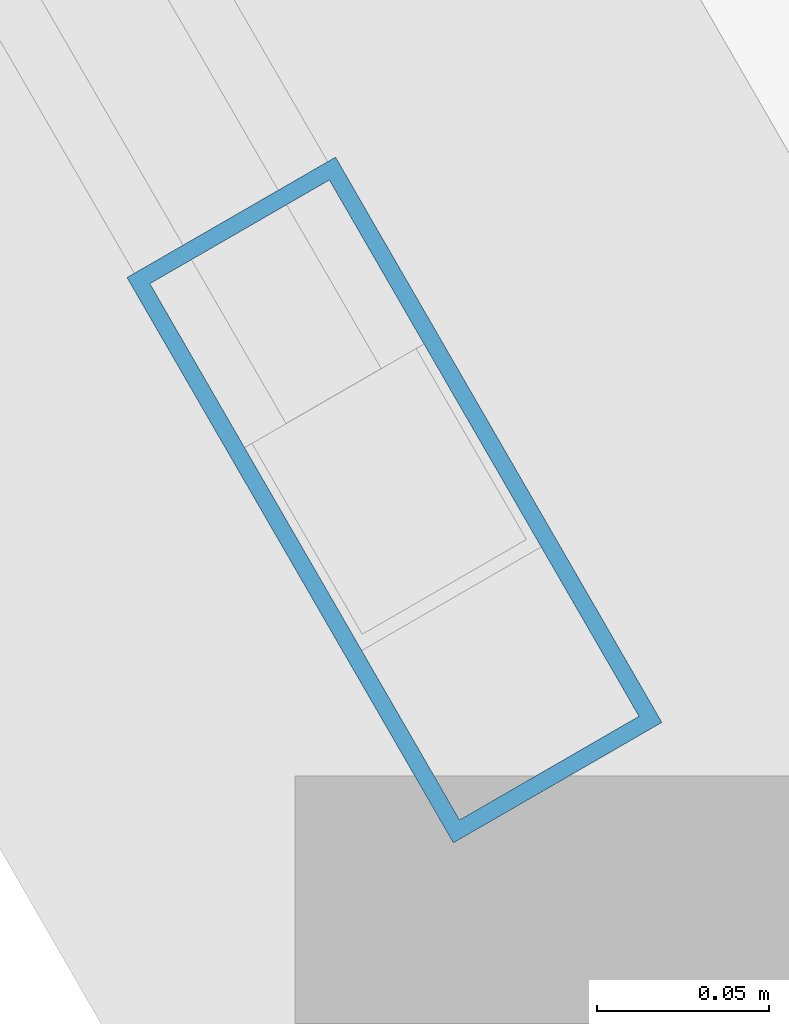
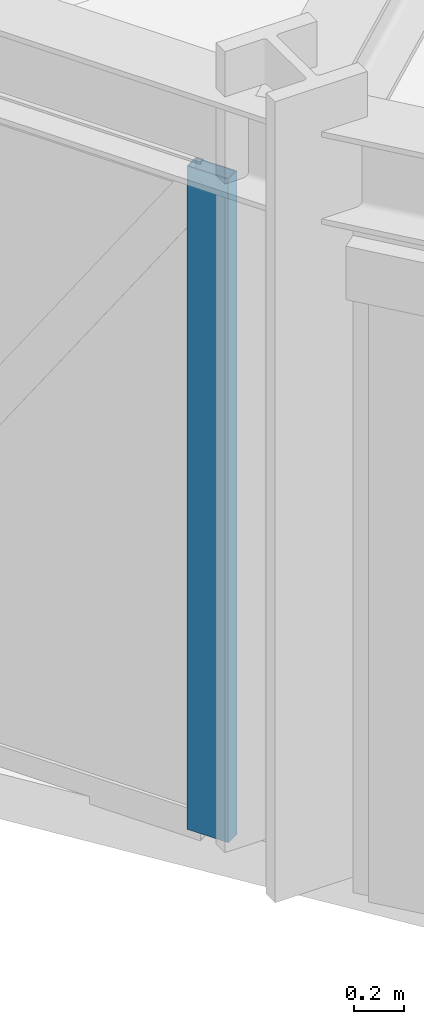
# One storey, part 2 of 21: 1 member, 1 element without a shape of its own.
"""IFC4 building model written with IfcOpenShell, lengths in metres."""

from ifc_helpers import new_model, si_unit, derived_unit, direction, frame, origin, origin_2d, place, context, subcontext, project, spatial, hollow_rectangle, extrude, source, transform, mapped, material, layer, layer_set, material_profile, profile_set, type_object, element, aggregate, save


model = new_model("IFC4")

# Units and contexts
model_context = context("Model", 3, precision=1e-05, world=origin(), true_north=direction((0.0, 1.0)))
body_context = subcontext(model_context, "Body", "Model", "MODEL_VIEW")
ifc_project = project(units=[si_unit("LENGTHUNIT", "METRE"), si_unit("AREAUNIT", "SQUARE_METRE"), si_unit("VOLUMEUNIT", "CUBIC_METRE"), si_unit("PLANEANGLEUNIT", "RADIAN"), si_unit("MASSUNIT", "GRAM", prefix="KILO"), derived_unit("THERMALTRANSMITTANCEUNIT", [(si_unit("POWERUNIT", "WATT"), 1), (si_unit("LENGTHUNIT", "METRE"), -2), (si_unit("THERMODYNAMICTEMPERATUREUNIT", "KELVIN"), -1)])], contexts=[model_context])

# Site, building, storey
site_placement = place(None, origin())
site = spatial("IfcSite", under=ifc_project, at=site_placement, CompositionType="ELEMENT")
building_placement = place(site_placement, origin())
building = spatial("IfcBuilding", under=site, at=building_placement, Name="Korsvarv Bourse and Concert Hall", CompositionType="ELEMENT")
storey_placement = place(building_placement, frame((0.0, 0.0, 27.89990234375)))
storey = spatial("IfcBuildingStorey", under=building, at=storey_placement, Name="L06", CompositionType="ELEMENT", Elevation=27.89990234375)

# Curtain wall, member
ifc_material_1 = material(Name="Anodised aluminium and triple low-E glazing", Category="glass")
ifc_layer = layer(ifc_material_1, 0.219970703125)
ifc_layer_set = layer_set([ifc_layer], Name="Anodised aluminium and triple low-E glazing")
curtain_wall_type = type_object("IfcCurtainWallType", Name="CW-SYS-1", PredefinedType="NOTDEFINED", material=ifc_layer_set)
curtain_wall_placement = place(storey_placement, origin())
curtain_wall = element("IfcCurtainWall", 1, at=curtain_wall_placement, inside=storey, type_object=curtain_wall_type, Name="L06 CW1 curtain wall CW-L06-F07", PredefinedType="NOTDEFINED")
ifc_material_2 = material(Name="Extruded aluminium EN AW-6063 T66", Category="aluminium")
ifc_material_profile = material_profile(ifc_material_2, hollow_rectangle(XDim=0.070068359375, YDim=0.18994140625, WallThickness=0.0048828125, at=origin_2d()), Name="ALU-M 70x190")
ifc_profile_set = profile_set([ifc_material_profile], Name="Extruded aluminium EN AW-6063 T66")
member_type = type_object("IfcMemberType", Name="CWM-190", PredefinedType="MULLION", material=ifc_profile_set)
shared_shape = source(origin(), body_context, "Body", "SweptSolid", [
    extrude(hollow_rectangle(XDim=0.070068359375, YDim=0.18994140625, WallThickness=0.0048828125, at=origin_2d()), origin(), (0.0, 0.0, 1.0), 3.22998046875),
])
member_placement = place(storey_placement, frame((20.884765625, 18.34619140625, 0.0), z_axis=(0.0, 0.0, 1.0), x_axis=(0.866028517121, 0.499994607504, 0.0)))
member = element("IfcMember", 2, at=member_placement, type_object=member_type, Name="CW1 mullion 8", PredefinedType="MULLION", context=body_context, shape_type="MappedRepresentation", body=[
    mapped(shared_shape, transform((0.0, 0.0, 0.0), scale=1.0)),
])
aggregate(curtain_wall, [member])

save(model, "model.ifc")
